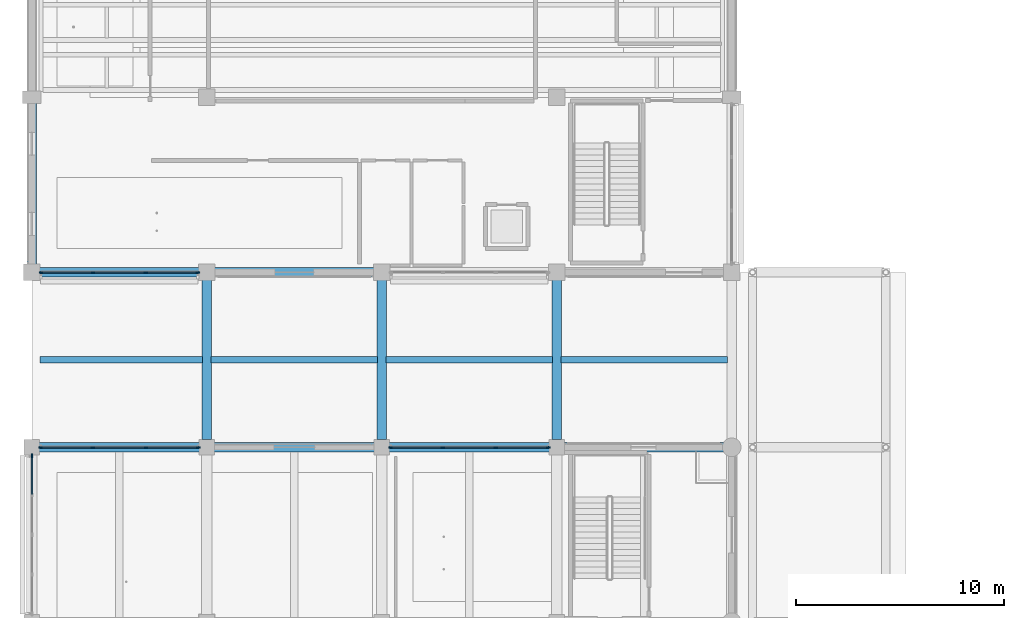
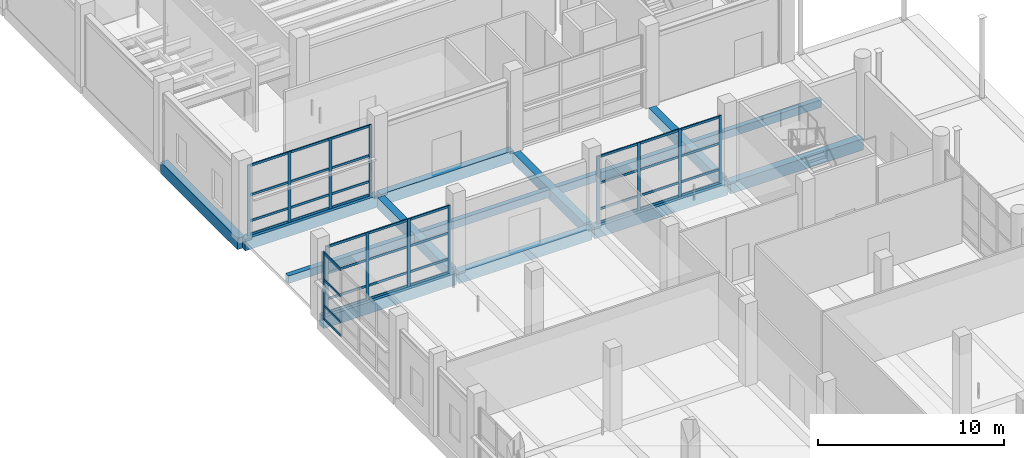
# One storey, part 35 of 140: 53 members, 14 beams, 4 elements without a shape of their own.
"""IFC4 building model written with IfcOpenShell, lengths in metres."""

from ifc_helpers import new_model, si_unit, direction, frame, origin, origin_2d, place, context, subcontext, project, spatial, rectangle, extrude, material, layer, layer_set, material_profile, profile_set, type_object, element, aggregate, save


model = new_model("IFC4")

# Units and contexts
model_context = context("Model", 3, precision=1e-05, world=origin(), true_north=direction((0.0, 1.0)))
body_context = subcontext(model_context, "Body", "Model", "MODEL_VIEW")
ifc_project = project(units=[si_unit("LENGTHUNIT", "METRE"), si_unit("AREAUNIT", "SQUARE_METRE"), si_unit("VOLUMEUNIT", "CUBIC_METRE"), si_unit("PLANEANGLEUNIT", "RADIAN"), si_unit("MASSUNIT", "GRAM", prefix="KILO")], contexts=[model_context])

# Site, building, storey
site_placement = place(None, origin())
site = spatial("IfcSite", under=ifc_project, at=site_placement, CompositionType="ELEMENT")
building_placement = place(site_placement, origin())
building = spatial("IfcBuilding", under=site, at=building_placement, Name="Telukmera Botanical Conservatory", CompositionType="ELEMENT")
storey_placement = place(building_placement, origin())
storey = spatial("IfcBuildingStorey", under=building, at=storey_placement, Name="L00", CompositionType="ELEMENT", Elevation=0.0)

# Beams
ifc_material_1 = material(Name="Concrete C40/50", Category="concrete")
ifc_material_profile_1 = material_profile(ifc_material_1, rectangle(XDim=0.449951171875, YDim=0.699951171875, at=origin_2d()), Name="RC 450x700")
ifc_profile_set_1 = profile_set([ifc_material_profile_1], Name="Concrete C40/50")
beam_type_1 = type_object("IfcBeamType", Name="Beam_B15", PredefinedType="BEAM", material=ifc_profile_set_1)
for number, where, z_axis, x_axis, name in (
    (1, (16.800048828125, 75.179931640625, -0.35009765625), (0.0, 1.0, 0.0), (-1.0, 0.0, 0.0), "Monsoon Court Deck Transverse Beam L00"),
    (2, (25.199951171875, 75.179931640625, -0.35009765625), (0.0, 1.0, 0.0), (-1.0, 0.0, 0.0), "Monsoon Court Deck Transverse Beam L00"),
    (3, (33.60009765625, 75.179931640625, -0.35009765625), (0.0, 1.0, 0.0), (-1.0, 0.0, 0.0), "Monsoon Court Deck Transverse Beam L00"),
):
    element("IfcBeam", number, at=place(storey_placement, frame(where, z_axis=z_axis, x_axis=x_axis)), inside=storey, type_object=beam_type_1, Name=name, PredefinedType="BEAM", context=body_context, shape_type="SweptSolid", body=[
        extrude(rectangle(XDim=0.449951171875, YDim=0.699951171875, at=origin_2d()), origin(), (0.0, 0.0, 1.0), 7.64013671875),
    ])
ifc_material_profile_2 = material_profile(ifc_material_1, rectangle(XDim=0.300048828125, YDim=0.5, at=origin_2d()), Name="RC 300x500")
ifc_profile_set_2 = profile_set([ifc_material_profile_2], Name="Concrete C40/50")
beam_type_2 = type_object("IfcBeamType", Name="Beam_B24", PredefinedType="JOIST", material=ifc_profile_set_2)
beam_1_placement = place(storey_placement, frame((8.780029296875, 79.0, -0.25), z_axis=(1.0, 0.0, 0.0), x_axis=(0.0, 1.0, 0.0)))
element("IfcBeam", 4, at=beam_1_placement, inside=storey, type_object=beam_type_2, Name="Monsoon Court Deck Secondary Joist L00", PredefinedType="JOIST", context=body_context, shape_type="SweptSolid", body=[
    extrude(rectangle(XDim=0.300048828125, YDim=0.5, at=origin_2d()), origin(), (0.0, 0.0, 1.0), 7.820068359375),
])
for number, where, z_axis, x_axis, name in (
    (5, (17.0, 79.0, -0.25), (1.0, 0.0, 0.0), (0.0, 1.0, 0.0), "Monsoon Court Deck Secondary Joist L00"),
    (6, (25.39990234375, 79.0, -0.25), (1.0, 0.0, 0.0), (0.0, 1.0, 0.0), "Monsoon Court Deck Secondary Joist L00"),
    (7, (33.800048828125, 79.0, -0.25), (1.0, 0.0, 0.0), (0.0, 1.0, 0.0), "Monsoon Court Deck Secondary Joist L00"),
):
    element("IfcBeam", number, at=place(storey_placement, frame(where, z_axis=z_axis, x_axis=x_axis)), inside=storey, type_object=beam_type_2, Name=name, PredefinedType="JOIST", context=body_context, shape_type="SweptSolid", body=[
        extrude(rectangle(XDim=0.300048828125, YDim=0.5, at=origin_2d()), origin(), (0.0, 0.0, 1.0), 8.0),
    ])
ifc_material_profile_3 = material_profile(ifc_material_1, rectangle(XDim=0.449951171875, YDim=0.75, at=origin_2d()), Name="RC 450x750")
ifc_profile_set_3 = profile_set([ifc_material_profile_3], Name="Concrete C40/50")
beam_type_3 = type_object("IfcBeamType", Name="Beam_B6", PredefinedType="BEAM", material=ifc_profile_set_3)
beam_2_placement = place(storey_placement, frame((8.47998046875, 74.800048828125, -0.375), z_axis=(1.0, 0.0, 0.0), x_axis=(0.0, 1.0, 0.0)))
element("IfcBeam", 8, at=beam_2_placement, inside=storey, type_object=beam_type_3, Name="Visitor Wing Grid Beam L00", PredefinedType="BEAM", context=body_context, shape_type="SweptSolid", body=[
    extrude(rectangle(XDim=0.449951171875, YDim=0.75, at=origin_2d()), origin(), (0.0, 0.0, 1.0), 8.239990234375),
])
beam_3_placement = place(storey_placement, frame((16.8798828125, 74.800048828125, -0.375), z_axis=(1.0, 0.0, 0.0), x_axis=(0.0, 1.0, 0.0)))
element("IfcBeam", 9, at=beam_3_placement, inside=storey, type_object=beam_type_3, Name="Visitor Wing Grid Beam L00", PredefinedType="BEAM", context=body_context, shape_type="SweptSolid", body=[
    extrude(rectangle(XDim=0.449951171875, YDim=0.75, at=origin_2d()), origin(), (0.0, 0.0, 1.0), 8.240234375),
])
for number, where, z_axis, x_axis, name in (
    (10, (25.280029296875, 74.800048828125, -0.375), (1.0, 0.0, 0.0), (0.0, 1.0, 0.0), "Visitor Wing Grid Beam L00"),
    (11, (33.679931640625, 74.800048828125, -0.375), (1.0, 0.0, 0.0), (0.0, 1.0, 0.0), "Visitor Wing Grid Beam L00"),
    (12, (8.47998046875, 83.199951171875, -0.375), (1.0, 0.0, 0.0), (0.0, 1.0, 0.0), "Auditorium Frame Beam beam:V2:L00:gx:832:84"),
):
    element("IfcBeam", number, at=place(storey_placement, frame(where, z_axis=z_axis, x_axis=x_axis)), inside=storey, type_object=beam_type_3, Name=name, PredefinedType="BEAM", context=body_context, shape_type="SweptSolid", body=[
        extrude(rectangle(XDim=0.449951171875, YDim=0.75, at=origin_2d()), origin(), (0.0, 0.0, 1.0), 8.239990234375),
    ])
beam_4_placement = place(storey_placement, frame((16.8798828125, 83.199951171875, -0.375), z_axis=(1.0, 0.0, 0.0), x_axis=(0.0, 1.0, 0.0)))
element("IfcBeam", 13, at=beam_4_placement, inside=storey, type_object=beam_type_3, Name="Auditorium Frame Beam beam:V2:L00:gx:832:168", PredefinedType="BEAM", context=body_context, shape_type="SweptSolid", body=[
    extrude(rectangle(XDim=0.449951171875, YDim=0.75, at=origin_2d()), origin(), (0.0, 0.0, 1.0), 8.240234375),
])
beam_5_placement = place(storey_placement, frame((8.39990234375, 83.280029296875, -0.375), z_axis=(0.0, 1.0, 0.0), x_axis=(-1.0, 0.0, 0.0)))
element("IfcBeam", 14, at=beam_5_placement, inside=storey, type_object=beam_type_3, Name="Auditorium Frame Beam beam:V2:L00:gy:84:832", PredefinedType="BEAM", context=body_context, shape_type="SweptSolid", body=[
    extrude(rectangle(XDim=0.449951171875, YDim=0.75, at=origin_2d()), origin(), (0.0, 0.0, 1.0), 8.239990234375),
])

# Curtain wall, members
ifc_material_2 = material(Name="Anodised aluminium 6063-T6", Category="aluminium")
ifc_layer_1 = layer(ifc_material_2, 0.179931640625)
ifc_layer_set_1 = layer_set([ifc_layer_1], Name="Anodised aluminium 6063-T6")
curtain_wall_type_1 = type_object("IfcCurtainWallType", Name="Auditorium Ground Foyer Acoustic Curtain Wall", PredefinedType="USERDEFINED", material=ifc_layer_set_1)
curtain_wall_1_placement = place(storey_placement, origin())
curtain_wall_1 = element("IfcCurtainWall", 15, at=curtain_wall_1_placement, inside=storey, type_object=curtain_wall_type_1, Name="Unitised Curtain Wall CW04 V2:L00:S1", ObjectType="UNITISED CURTAIN WALL", PredefinedType="USERDEFINED")
ifc_material_profile_4 = material_profile(ifc_material_2, rectangle(XDim=0.070068359375, YDim=0.179931640625, at=origin_2d()), Name="ALU MULL 70x180")
ifc_profile_set_4 = profile_set([ifc_material_profile_4], Name="Anodised aluminium 6063-T6")
member_type_1 = type_object("IfcMemberType", Name="Curtain Wall Extruded Mullion 70x180", PredefinedType="MULLION", material=ifc_profile_set_4)
member_1_placement = place(storey_placement, frame((8.8369140625, 83.199951171875, 0.0), z_axis=(0.0, 0.0, 1.0), x_axis=(0.0, 1.0, 0.0)))
member_1 = element("IfcMember", 16, at=member_1_placement, type_object=member_type_1, Name="CW04 mullion 1", PredefinedType="MULLION", context=body_context, shape_type="SweptSolid", body=[
    extrude(rectangle(XDim=0.070068359375, YDim=0.179931640625, at=origin_2d()), origin(), (0.0, 0.0, 1.0), 4.64990234375),
])
member_2_placement = place(storey_placement, frame((11.333984375, 83.199951171875, 0.0), z_axis=(0.0, 0.0, 1.0), x_axis=(0.0, 1.0, 0.0)))
member_2 = element("IfcMember", 17, at=member_2_placement, type_object=member_type_1, Name="CW04 mullion 2", PredefinedType="MULLION", context=body_context, shape_type="SweptSolid", body=[
    extrude(rectangle(XDim=0.070068359375, YDim=0.179931640625, at=origin_2d()), origin(), (0.0, 0.0, 1.0), 4.64990234375),
])
member_3_placement = place(storey_placement, frame((13.865966796875, 83.199951171875, 0.0), z_axis=(0.0, 0.0, 1.0), x_axis=(0.0, 1.0, 0.0)))
member_3 = element("IfcMember", 18, at=member_3_placement, type_object=member_type_1, Name="CW04 mullion 3", PredefinedType="MULLION", context=body_context, shape_type="SweptSolid", body=[
    extrude(rectangle(XDim=0.070068359375, YDim=0.179931640625, at=origin_2d()), origin(), (0.0, 0.0, 1.0), 4.64990234375),
])
member_4_placement = place(storey_placement, frame((16.363037109375, 83.199951171875, 0.0), z_axis=(0.0, 0.0, 1.0), x_axis=(0.0, 1.0, 0.0)))
member_4 = element("IfcMember", 19, at=member_4_placement, type_object=member_type_1, Name="CW04 mullion 4", PredefinedType="MULLION", context=body_context, shape_type="SweptSolid", body=[
    extrude(rectangle(XDim=0.070068359375, YDim=0.179931640625, at=origin_2d()), origin(), (0.0, 0.0, 1.0), 4.64990234375),
])

ifc_layer_2 = layer(ifc_material_2, 0.179931640625)
ifc_layer_set_2 = layer_set([ifc_layer_2], Name="Anodised aluminium 6063-T6")
curtain_wall_type_2 = type_object("IfcCurtainWallType", Name="Visitor Colonnade Ground Curtain Wall 2400 Mod", PredefinedType="USERDEFINED", material=ifc_layer_set_2)
curtain_wall_2_placement = place(storey_placement, origin())
curtain_wall_2 = element("IfcCurtainWall", 20, at=curtain_wall_2_placement, inside=storey, type_object=curtain_wall_type_2, Name="Unitised Curtain Wall CW07 V3:L00:N1", ObjectType="UNITISED CURTAIN WALL", PredefinedType="USERDEFINED")
member_5_placement = place(storey_placement, frame((8.81201171875, 74.800048828125, 0.0), z_axis=(0.0, 0.0, 1.0), x_axis=(0.0, 1.0, 0.0)))
member_5 = element("IfcMember", 21, at=member_5_placement, type_object=member_type_1, Name="CW07 mullion 1", PredefinedType="MULLION", context=body_context, shape_type="SweptSolid", body=[
    extrude(rectangle(XDim=0.070068359375, YDim=0.179931640625, at=origin_2d()), origin(), (0.0, 0.0, 1.0), 4.449951171875),
])
member_6_placement = place(storey_placement, frame((11.32568359375, 74.800048828125, 0.0), z_axis=(0.0, 0.0, 1.0), x_axis=(0.0, 1.0, 0.0)))
member_6 = element("IfcMember", 22, at=member_6_placement, type_object=member_type_1, Name="CW07 mullion 2", PredefinedType="MULLION", context=body_context, shape_type="SweptSolid", body=[
    extrude(rectangle(XDim=0.070068359375, YDim=0.179931640625, at=origin_2d()), origin(), (0.0, 0.0, 1.0), 4.449951171875),
])
member_7_placement = place(storey_placement, frame((13.874267578125, 74.800048828125, 0.0), z_axis=(0.0, 0.0, 1.0), x_axis=(0.0, 1.0, 0.0)))
member_7 = element("IfcMember", 23, at=member_7_placement, type_object=member_type_1, Name="CW07 mullion 3", PredefinedType="MULLION", context=body_context, shape_type="SweptSolid", body=[
    extrude(rectangle(XDim=0.070068359375, YDim=0.179931640625, at=origin_2d()), origin(), (0.0, 0.0, 1.0), 4.449951171875),
])
member_8_placement = place(storey_placement, frame((16.387939453125, 74.800048828125, 0.0), z_axis=(0.0, 0.0, 1.0), x_axis=(0.0, 1.0, 0.0)))
member_8 = element("IfcMember", 24, at=member_8_placement, type_object=member_type_1, Name="CW07 mullion 4", PredefinedType="MULLION", context=body_context, shape_type="SweptSolid", body=[
    extrude(rectangle(XDim=0.070068359375, YDim=0.179931640625, at=origin_2d()), origin(), (0.0, 0.0, 1.0), 4.449951171875),
])

curtain_wall_3_placement = place(storey_placement, origin())
curtain_wall_3 = element("IfcCurtainWall", 25, at=curtain_wall_3_placement, inside=storey, type_object=curtain_wall_type_2, Name="Unitised Curtain Wall CW07 V3:L00:N3", ObjectType="UNITISED CURTAIN WALL", PredefinedType="USERDEFINED")
member_9_placement = place(storey_placement, frame((25.612060546875, 74.800048828125, 0.0), z_axis=(0.0, 0.0, 1.0), x_axis=(0.0, 1.0, 0.0)))
member_9 = element("IfcMember", 26, at=member_9_placement, type_object=member_type_1, Name="CW07 mullion 1", PredefinedType="MULLION", context=body_context, shape_type="SweptSolid", body=[
    extrude(rectangle(XDim=0.070068359375, YDim=0.179931640625, at=origin_2d()), origin(), (0.0, 0.0, 1.0), 4.449951171875),
])
member_10_placement = place(storey_placement, frame((28.125732421875, 74.800048828125, 0.0), z_axis=(0.0, 0.0, 1.0), x_axis=(0.0, 1.0, 0.0)))
member_10 = element("IfcMember", 27, at=member_10_placement, type_object=member_type_1, Name="CW07 mullion 2", PredefinedType="MULLION", context=body_context, shape_type="SweptSolid", body=[
    extrude(rectangle(XDim=0.070068359375, YDim=0.179931640625, at=origin_2d()), origin(), (0.0, 0.0, 1.0), 4.449951171875),
])
member_11_placement = place(storey_placement, frame((30.67431640625, 74.800048828125, 0.0), z_axis=(0.0, 0.0, 1.0), x_axis=(0.0, 1.0, 0.0)))
member_11 = element("IfcMember", 28, at=member_11_placement, type_object=member_type_1, Name="CW07 mullion 3", PredefinedType="MULLION", context=body_context, shape_type="SweptSolid", body=[
    extrude(rectangle(XDim=0.070068359375, YDim=0.179931640625, at=origin_2d()), origin(), (0.0, 0.0, 1.0), 4.449951171875),
])
member_12_placement = place(storey_placement, frame((33.18798828125, 74.800048828125, 0.0), z_axis=(0.0, 0.0, 1.0), x_axis=(0.0, 1.0, 0.0)))
member_12 = element("IfcMember", 29, at=member_12_placement, type_object=member_type_1, Name="CW07 mullion 4", PredefinedType="MULLION", context=body_context, shape_type="SweptSolid", body=[
    extrude(rectangle(XDim=0.070068359375, YDim=0.179931640625, at=origin_2d()), origin(), (0.0, 0.0, 1.0), 4.449951171875),
])

# Curtain wall, member
ifc_layer_3 = layer(ifc_material_2, 0.179931640625)
ifc_layer_set_3 = layer_set([ifc_layer_3], Name="Anodised aluminium 6063-T6")
curtain_wall_type_3 = type_object("IfcCurtainWallType", Name="Visitor Colonnade Ground Curtain Wall 1800 Mod", PredefinedType="USERDEFINED", material=ifc_layer_set_3)
curtain_wall_4_placement = place(storey_placement, origin())
curtain_wall_4 = element("IfcCurtainWall", 30, at=curtain_wall_4_placement, inside=storey, type_object=curtain_wall_type_3, Name="Unitised Curtain Wall CW06 V3:L00:W7", ObjectType="UNITISED CURTAIN WALL", PredefinedType="USERDEFINED")
member_13_placement = place(storey_placement, frame((8.39990234375, 74.387939453125, 0.0), z_axis=(0.0, 0.0, 1.0), x_axis=(-1.0, 0.0, 0.0)))
member_13 = element("IfcMember", 31, at=member_13_placement, type_object=member_type_1, Name="CW06 mullion 5", PredefinedType="MULLION", context=body_context, shape_type="SweptSolid", body=[
    extrude(rectangle(XDim=0.070068359375, YDim=0.179931640625, at=origin_2d()), origin(), (0.0, 0.0, 1.0), 4.449951171875),
])

# Member
ifc_material_profile_5 = material_profile(ifc_material_2, rectangle(XDim=0.070068359375, YDim=0.14990234375, at=origin_2d()), Name="ALU TRAN 70x150")
ifc_profile_set_5 = profile_set([ifc_material_profile_5], Name="Anodised aluminium 6063-T6")
member_type_2 = type_object("IfcMemberType", Name="Curtain Wall Extruded Transom 70x150", PredefinedType="USERDEFINED", material=ifc_profile_set_5)
member_14_placement = place(storey_placement, frame((8.8720703125, 83.199951171875, 0.074951171875), z_axis=(1.0, 0.0, 0.0), x_axis=(0.0, 1.0, 0.0)))
member_14 = element("IfcMember", 32, at=member_14_placement, type_object=member_type_2, Name="CW04 transom 1.1", ObjectType="TRANSOM", PredefinedType="USERDEFINED", context=body_context, shape_type="SweptSolid", body=[
    extrude(rectangle(XDim=0.070068359375, YDim=0.14990234375, at=origin_2d()), origin(), (0.0, 0.0, 1.0), 2.427001953125),
])

member_15_placement = place(storey_placement, frame((8.8720703125, 83.199951171875, 0.949951171875), z_axis=(1.0, 0.0, 0.0), x_axis=(0.0, 1.0, 0.0)))
member_15 = element("IfcMember", 33, at=member_15_placement, type_object=member_type_2, Name="CW04 transom 1.2", ObjectType="TRANSOM", PredefinedType="USERDEFINED", context=body_context, shape_type="SweptSolid", body=[
    extrude(rectangle(XDim=0.070068359375, YDim=0.14990234375, at=origin_2d()), origin(), (0.0, 0.0, 1.0), 2.427001953125),
])

member_16_placement = place(storey_placement, frame((8.8720703125, 83.199951171875, 2.64990234375), z_axis=(1.0, 0.0, 0.0), x_axis=(0.0, 1.0, 0.0)))
member_16 = element("IfcMember", 34, at=member_16_placement, type_object=member_type_2, Name="CW04 transom 1.3", ObjectType="TRANSOM", PredefinedType="USERDEFINED", context=body_context, shape_type="SweptSolid", body=[
    extrude(rectangle(XDim=0.070068359375, YDim=0.14990234375, at=origin_2d()), origin(), (0.0, 0.0, 1.0), 2.427001953125),
])

member_17_placement = place(storey_placement, frame((8.8720703125, 83.199951171875, 4.574951171875), z_axis=(1.0, 0.0, 0.0), x_axis=(0.0, 1.0, 0.0)))
member_17 = element("IfcMember", 35, at=member_17_placement, type_object=member_type_2, Name="CW04 transom 1.4", ObjectType="TRANSOM", PredefinedType="USERDEFINED", context=body_context, shape_type="SweptSolid", body=[
    extrude(rectangle(XDim=0.070068359375, YDim=0.14990234375, at=origin_2d()), origin(), (0.0, 0.0, 1.0), 2.427001953125),
])

member_18_placement = place(storey_placement, frame((11.368896484375, 83.199951171875, 0.074951171875), z_axis=(1.0, 0.0, 0.0), x_axis=(0.0, 1.0, 0.0)))
member_18 = element("IfcMember", 36, at=member_18_placement, type_object=member_type_2, Name="CW04 transom 2.1", ObjectType="TRANSOM", PredefinedType="USERDEFINED", context=body_context, shape_type="SweptSolid", body=[
    extrude(rectangle(XDim=0.070068359375, YDim=0.14990234375, at=origin_2d()), origin(), (0.0, 0.0, 1.0), 2.462158203125),
])

member_19_placement = place(storey_placement, frame((11.368896484375, 83.199951171875, 0.949951171875), z_axis=(1.0, 0.0, 0.0), x_axis=(0.0, 1.0, 0.0)))
member_19 = element("IfcMember", 37, at=member_19_placement, type_object=member_type_2, Name="CW04 transom 2.2", ObjectType="TRANSOM", PredefinedType="USERDEFINED", context=body_context, shape_type="SweptSolid", body=[
    extrude(rectangle(XDim=0.070068359375, YDim=0.14990234375, at=origin_2d()), origin(), (0.0, 0.0, 1.0), 2.462158203125),
])

member_20_placement = place(storey_placement, frame((11.368896484375, 83.199951171875, 2.64990234375), z_axis=(1.0, 0.0, 0.0), x_axis=(0.0, 1.0, 0.0)))
member_20 = element("IfcMember", 38, at=member_20_placement, type_object=member_type_2, Name="CW04 transom 2.3", ObjectType="TRANSOM", PredefinedType="USERDEFINED", context=body_context, shape_type="SweptSolid", body=[
    extrude(rectangle(XDim=0.070068359375, YDim=0.14990234375, at=origin_2d()), origin(), (0.0, 0.0, 1.0), 2.462158203125),
])

member_21_placement = place(storey_placement, frame((11.368896484375, 83.199951171875, 4.574951171875), z_axis=(1.0, 0.0, 0.0), x_axis=(0.0, 1.0, 0.0)))
member_21 = element("IfcMember", 39, at=member_21_placement, type_object=member_type_2, Name="CW04 transom 2.4", ObjectType="TRANSOM", PredefinedType="USERDEFINED", context=body_context, shape_type="SweptSolid", body=[
    extrude(rectangle(XDim=0.070068359375, YDim=0.14990234375, at=origin_2d()), origin(), (0.0, 0.0, 1.0), 2.462158203125),
])

member_22_placement = place(storey_placement, frame((13.90087890625, 83.199951171875, 0.074951171875), z_axis=(1.0, 0.0, 0.0), x_axis=(0.0, 1.0, 0.0)))
member_22 = element("IfcMember", 40, at=member_22_placement, type_object=member_type_2, Name="CW04 transom 3.1", ObjectType="TRANSOM", PredefinedType="USERDEFINED", context=body_context, shape_type="SweptSolid", body=[
    extrude(rectangle(XDim=0.070068359375, YDim=0.14990234375, at=origin_2d()), origin(), (0.0, 0.0, 1.0), 2.427001953125),
])

member_23_placement = place(storey_placement, frame((13.90087890625, 83.199951171875, 0.949951171875), z_axis=(1.0, 0.0, 0.0), x_axis=(0.0, 1.0, 0.0)))
member_23 = element("IfcMember", 41, at=member_23_placement, type_object=member_type_2, Name="CW04 transom 3.2", ObjectType="TRANSOM", PredefinedType="USERDEFINED", context=body_context, shape_type="SweptSolid", body=[
    extrude(rectangle(XDim=0.070068359375, YDim=0.14990234375, at=origin_2d()), origin(), (0.0, 0.0, 1.0), 2.427001953125),
])

member_24_placement = place(storey_placement, frame((13.90087890625, 83.199951171875, 2.64990234375), z_axis=(1.0, 0.0, 0.0), x_axis=(0.0, 1.0, 0.0)))
member_24 = element("IfcMember", 42, at=member_24_placement, type_object=member_type_2, Name="CW04 transom 3.3", ObjectType="TRANSOM", PredefinedType="USERDEFINED", context=body_context, shape_type="SweptSolid", body=[
    extrude(rectangle(XDim=0.070068359375, YDim=0.14990234375, at=origin_2d()), origin(), (0.0, 0.0, 1.0), 2.427001953125),
])

member_25_placement = place(storey_placement, frame((13.90087890625, 83.199951171875, 4.574951171875), z_axis=(1.0, 0.0, 0.0), x_axis=(0.0, 1.0, 0.0)))
member_25 = element("IfcMember", 43, at=member_25_placement, type_object=member_type_2, Name="CW04 transom 3.4", ObjectType="TRANSOM", PredefinedType="USERDEFINED", context=body_context, shape_type="SweptSolid", body=[
    extrude(rectangle(XDim=0.070068359375, YDim=0.14990234375, at=origin_2d()), origin(), (0.0, 0.0, 1.0), 2.427001953125),
])

aggregate(curtain_wall_1, [member_1, member_2, member_3, member_4, member_14, member_15, member_16, member_17, member_18, member_19, member_20, member_21, member_22, member_23, member_24, member_25])

member_26_placement = place(storey_placement, frame((8.846923828125, 74.800048828125, 0.074951171875), z_axis=(1.0, 0.0, 0.0), x_axis=(0.0, 1.0, 0.0)))
member_26 = element("IfcMember", 44, at=member_26_placement, type_object=member_type_2, Name="CW07 transom 1.1", ObjectType="TRANSOM", PredefinedType="USERDEFINED", context=body_context, shape_type="SweptSolid", body=[
    extrude(rectangle(XDim=0.070068359375, YDim=0.14990234375, at=origin_2d()), origin(), (0.0, 0.0, 1.0), 2.44384765625),
])

member_27_placement = place(storey_placement, frame((8.846923828125, 74.800048828125, 0.949951171875), z_axis=(1.0, 0.0, 0.0), x_axis=(0.0, 1.0, 0.0)))
member_27 = element("IfcMember", 45, at=member_27_placement, type_object=member_type_2, Name="CW07 transom 1.2", ObjectType="TRANSOM", PredefinedType="USERDEFINED", context=body_context, shape_type="SweptSolid", body=[
    extrude(rectangle(XDim=0.070068359375, YDim=0.14990234375, at=origin_2d()), origin(), (0.0, 0.0, 1.0), 2.44384765625),
])

member_28_placement = place(storey_placement, frame((8.846923828125, 74.800048828125, 2.64990234375), z_axis=(1.0, 0.0, 0.0), x_axis=(0.0, 1.0, 0.0)))
member_28 = element("IfcMember", 46, at=member_28_placement, type_object=member_type_2, Name="CW07 transom 1.3", ObjectType="TRANSOM", PredefinedType="USERDEFINED", context=body_context, shape_type="SweptSolid", body=[
    extrude(rectangle(XDim=0.070068359375, YDim=0.14990234375, at=origin_2d()), origin(), (0.0, 0.0, 1.0), 2.44384765625),
])

member_29_placement = place(storey_placement, frame((8.846923828125, 74.800048828125, 4.375), z_axis=(1.0, 0.0, 0.0), x_axis=(0.0, 1.0, 0.0)))
member_29 = element("IfcMember", 47, at=member_29_placement, type_object=member_type_2, Name="CW07 transom 1.4", ObjectType="TRANSOM", PredefinedType="USERDEFINED", context=body_context, shape_type="SweptSolid", body=[
    extrude(rectangle(XDim=0.070068359375, YDim=0.14990234375, at=origin_2d()), origin(), (0.0, 0.0, 1.0), 2.44384765625),
])

member_30_placement = place(storey_placement, frame((11.360595703125, 74.800048828125, 0.074951171875), z_axis=(1.0, 0.0, 0.0), x_axis=(0.0, 1.0, 0.0)))
member_30 = element("IfcMember", 48, at=member_30_placement, type_object=member_type_2, Name="CW07 transom 2.1", ObjectType="TRANSOM", PredefinedType="USERDEFINED", context=body_context, shape_type="SweptSolid", body=[
    extrude(rectangle(XDim=0.070068359375, YDim=0.14990234375, at=origin_2d()), origin(), (0.0, 0.0, 1.0), 2.478759765625),
])

member_31_placement = place(storey_placement, frame((11.360595703125, 74.800048828125, 0.949951171875), z_axis=(1.0, 0.0, 0.0), x_axis=(0.0, 1.0, 0.0)))
member_31 = element("IfcMember", 49, at=member_31_placement, type_object=member_type_2, Name="CW07 transom 2.2", ObjectType="TRANSOM", PredefinedType="USERDEFINED", context=body_context, shape_type="SweptSolid", body=[
    extrude(rectangle(XDim=0.070068359375, YDim=0.14990234375, at=origin_2d()), origin(), (0.0, 0.0, 1.0), 2.478759765625),
])

member_32_placement = place(storey_placement, frame((11.360595703125, 74.800048828125, 2.64990234375), z_axis=(1.0, 0.0, 0.0), x_axis=(0.0, 1.0, 0.0)))
member_32 = element("IfcMember", 50, at=member_32_placement, type_object=member_type_2, Name="CW07 transom 2.3", ObjectType="TRANSOM", PredefinedType="USERDEFINED", context=body_context, shape_type="SweptSolid", body=[
    extrude(rectangle(XDim=0.070068359375, YDim=0.14990234375, at=origin_2d()), origin(), (0.0, 0.0, 1.0), 2.478759765625),
])

member_33_placement = place(storey_placement, frame((11.360595703125, 74.800048828125, 4.375), z_axis=(1.0, 0.0, 0.0), x_axis=(0.0, 1.0, 0.0)))
member_33 = element("IfcMember", 51, at=member_33_placement, type_object=member_type_2, Name="CW07 transom 2.4", ObjectType="TRANSOM", PredefinedType="USERDEFINED", context=body_context, shape_type="SweptSolid", body=[
    extrude(rectangle(XDim=0.070068359375, YDim=0.14990234375, at=origin_2d()), origin(), (0.0, 0.0, 1.0), 2.478759765625),
])

member_34_placement = place(storey_placement, frame((13.909423828125, 74.800048828125, 0.074951171875), z_axis=(1.0, 0.0, 0.0), x_axis=(0.0, 1.0, 0.0)))
member_34 = element("IfcMember", 52, at=member_34_placement, type_object=member_type_2, Name="CW07 transom 3.1", ObjectType="TRANSOM", PredefinedType="USERDEFINED", context=body_context, shape_type="SweptSolid", body=[
    extrude(rectangle(XDim=0.070068359375, YDim=0.14990234375, at=origin_2d()), origin(), (0.0, 0.0, 1.0), 2.443603515625),
])

member_35_placement = place(storey_placement, frame((13.909423828125, 74.800048828125, 0.949951171875), z_axis=(1.0, 0.0, 0.0), x_axis=(0.0, 1.0, 0.0)))
member_35 = element("IfcMember", 53, at=member_35_placement, type_object=member_type_2, Name="CW07 transom 3.2", ObjectType="TRANSOM", PredefinedType="USERDEFINED", context=body_context, shape_type="SweptSolid", body=[
    extrude(rectangle(XDim=0.070068359375, YDim=0.14990234375, at=origin_2d()), origin(), (0.0, 0.0, 1.0), 2.443603515625),
])

member_36_placement = place(storey_placement, frame((13.909423828125, 74.800048828125, 2.64990234375), z_axis=(1.0, 0.0, 0.0), x_axis=(0.0, 1.0, 0.0)))
member_36 = element("IfcMember", 54, at=member_36_placement, type_object=member_type_2, Name="CW07 transom 3.3", ObjectType="TRANSOM", PredefinedType="USERDEFINED", context=body_context, shape_type="SweptSolid", body=[
    extrude(rectangle(XDim=0.070068359375, YDim=0.14990234375, at=origin_2d()), origin(), (0.0, 0.0, 1.0), 2.443603515625),
])

member_37_placement = place(storey_placement, frame((13.909423828125, 74.800048828125, 4.375), z_axis=(1.0, 0.0, 0.0), x_axis=(0.0, 1.0, 0.0)))
member_37 = element("IfcMember", 55, at=member_37_placement, type_object=member_type_2, Name="CW07 transom 3.4", ObjectType="TRANSOM", PredefinedType="USERDEFINED", context=body_context, shape_type="SweptSolid", body=[
    extrude(rectangle(XDim=0.070068359375, YDim=0.14990234375, at=origin_2d()), origin(), (0.0, 0.0, 1.0), 2.443603515625),
])

aggregate(curtain_wall_2, [member_5, member_6, member_7, member_8, member_26, member_27, member_28, member_29, member_30, member_31, member_32, member_33, member_34, member_35, member_36, member_37])

member_38_placement = place(storey_placement, frame((25.64697265625, 74.800048828125, 0.074951171875), z_axis=(1.0, 0.0, 0.0), x_axis=(0.0, 1.0, 0.0)))
member_38 = element("IfcMember", 56, at=member_38_placement, type_object=member_type_2, Name="CW07 transom 1.1", ObjectType="TRANSOM", PredefinedType="USERDEFINED", context=body_context, shape_type="SweptSolid", body=[
    extrude(rectangle(XDim=0.070068359375, YDim=0.14990234375, at=origin_2d()), origin(), (0.0, 0.0, 1.0), 2.443603515625),
])

member_39_placement = place(storey_placement, frame((25.64697265625, 74.800048828125, 0.949951171875), z_axis=(1.0, 0.0, 0.0), x_axis=(0.0, 1.0, 0.0)))
member_39 = element("IfcMember", 57, at=member_39_placement, type_object=member_type_2, Name="CW07 transom 1.2", ObjectType="TRANSOM", PredefinedType="USERDEFINED", context=body_context, shape_type="SweptSolid", body=[
    extrude(rectangle(XDim=0.070068359375, YDim=0.14990234375, at=origin_2d()), origin(), (0.0, 0.0, 1.0), 2.443603515625),
])

member_40_placement = place(storey_placement, frame((25.64697265625, 74.800048828125, 2.64990234375), z_axis=(1.0, 0.0, 0.0), x_axis=(0.0, 1.0, 0.0)))
member_40 = element("IfcMember", 58, at=member_40_placement, type_object=member_type_2, Name="CW07 transom 1.3", ObjectType="TRANSOM", PredefinedType="USERDEFINED", context=body_context, shape_type="SweptSolid", body=[
    extrude(rectangle(XDim=0.070068359375, YDim=0.14990234375, at=origin_2d()), origin(), (0.0, 0.0, 1.0), 2.443603515625),
])

member_41_placement = place(storey_placement, frame((25.64697265625, 74.800048828125, 4.375), z_axis=(1.0, 0.0, 0.0), x_axis=(0.0, 1.0, 0.0)))
member_41 = element("IfcMember", 59, at=member_41_placement, type_object=member_type_2, Name="CW07 transom 1.4", ObjectType="TRANSOM", PredefinedType="USERDEFINED", context=body_context, shape_type="SweptSolid", body=[
    extrude(rectangle(XDim=0.070068359375, YDim=0.14990234375, at=origin_2d()), origin(), (0.0, 0.0, 1.0), 2.443603515625),
])

member_42_placement = place(storey_placement, frame((28.16064453125, 74.800048828125, 0.074951171875), z_axis=(1.0, 0.0, 0.0), x_axis=(0.0, 1.0, 0.0)))
member_42 = element("IfcMember", 60, at=member_42_placement, type_object=member_type_2, Name="CW07 transom 2.1", ObjectType="TRANSOM", PredefinedType="USERDEFINED", context=body_context, shape_type="SweptSolid", body=[
    extrude(rectangle(XDim=0.070068359375, YDim=0.14990234375, at=origin_2d()), origin(), (0.0, 0.0, 1.0), 2.478759765625),
])

member_43_placement = place(storey_placement, frame((28.16064453125, 74.800048828125, 0.949951171875), z_axis=(1.0, 0.0, 0.0), x_axis=(0.0, 1.0, 0.0)))
member_43 = element("IfcMember", 61, at=member_43_placement, type_object=member_type_2, Name="CW07 transom 2.2", ObjectType="TRANSOM", PredefinedType="USERDEFINED", context=body_context, shape_type="SweptSolid", body=[
    extrude(rectangle(XDim=0.070068359375, YDim=0.14990234375, at=origin_2d()), origin(), (0.0, 0.0, 1.0), 2.478759765625),
])

member_44_placement = place(storey_placement, frame((28.16064453125, 74.800048828125, 2.64990234375), z_axis=(1.0, 0.0, 0.0), x_axis=(0.0, 1.0, 0.0)))
member_44 = element("IfcMember", 62, at=member_44_placement, type_object=member_type_2, Name="CW07 transom 2.3", ObjectType="TRANSOM", PredefinedType="USERDEFINED", context=body_context, shape_type="SweptSolid", body=[
    extrude(rectangle(XDim=0.070068359375, YDim=0.14990234375, at=origin_2d()), origin(), (0.0, 0.0, 1.0), 2.478759765625),
])

member_45_placement = place(storey_placement, frame((28.16064453125, 74.800048828125, 4.375), z_axis=(1.0, 0.0, 0.0), x_axis=(0.0, 1.0, 0.0)))
member_45 = element("IfcMember", 63, at=member_45_placement, type_object=member_type_2, Name="CW07 transom 2.4", ObjectType="TRANSOM", PredefinedType="USERDEFINED", context=body_context, shape_type="SweptSolid", body=[
    extrude(rectangle(XDim=0.070068359375, YDim=0.14990234375, at=origin_2d()), origin(), (0.0, 0.0, 1.0), 2.478759765625),
])

member_46_placement = place(storey_placement, frame((30.709228515625, 74.800048828125, 0.074951171875), z_axis=(1.0, 0.0, 0.0), x_axis=(0.0, 1.0, 0.0)))
member_46 = element("IfcMember", 64, at=member_46_placement, type_object=member_type_2, Name="CW07 transom 3.1", ObjectType="TRANSOM", PredefinedType="USERDEFINED", context=body_context, shape_type="SweptSolid", body=[
    extrude(rectangle(XDim=0.070068359375, YDim=0.14990234375, at=origin_2d()), origin(), (0.0, 0.0, 1.0), 2.44384765625),
])

member_47_placement = place(storey_placement, frame((30.709228515625, 74.800048828125, 0.949951171875), z_axis=(1.0, 0.0, 0.0), x_axis=(0.0, 1.0, 0.0)))
member_47 = element("IfcMember", 65, at=member_47_placement, type_object=member_type_2, Name="CW07 transom 3.2", ObjectType="TRANSOM", PredefinedType="USERDEFINED", context=body_context, shape_type="SweptSolid", body=[
    extrude(rectangle(XDim=0.070068359375, YDim=0.14990234375, at=origin_2d()), origin(), (0.0, 0.0, 1.0), 2.44384765625),
])

member_48_placement = place(storey_placement, frame((30.709228515625, 74.800048828125, 2.64990234375), z_axis=(1.0, 0.0, 0.0), x_axis=(0.0, 1.0, 0.0)))
member_48 = element("IfcMember", 66, at=member_48_placement, type_object=member_type_2, Name="CW07 transom 3.3", ObjectType="TRANSOM", PredefinedType="USERDEFINED", context=body_context, shape_type="SweptSolid", body=[
    extrude(rectangle(XDim=0.070068359375, YDim=0.14990234375, at=origin_2d()), origin(), (0.0, 0.0, 1.0), 2.44384765625),
])

member_49_placement = place(storey_placement, frame((30.709228515625, 74.800048828125, 4.375), z_axis=(1.0, 0.0, 0.0), x_axis=(0.0, 1.0, 0.0)))
member_49 = element("IfcMember", 67, at=member_49_placement, type_object=member_type_2, Name="CW07 transom 3.4", ObjectType="TRANSOM", PredefinedType="USERDEFINED", context=body_context, shape_type="SweptSolid", body=[
    extrude(rectangle(XDim=0.070068359375, YDim=0.14990234375, at=origin_2d()), origin(), (0.0, 0.0, 1.0), 2.44384765625),
])

aggregate(curtain_wall_3, [member_9, member_10, member_11, member_12, member_38, member_39, member_40, member_41, member_42, member_43, member_44, member_45, member_46, member_47, member_48, member_49])

member_50_placement = place(storey_placement, frame((8.39990234375, 72.54638671875, 0.074951171875), z_axis=(0.0, 1.0, 0.0), x_axis=(-1.0, 0.0, 0.0)))
member_50 = element("IfcMember", 68, at=member_50_placement, type_object=member_type_2, Name="CW06 transom 4.1", ObjectType="TRANSOM", PredefinedType="USERDEFINED", context=body_context, shape_type="SweptSolid", body=[
    extrude(rectangle(XDim=0.070068359375, YDim=0.14990234375, at=origin_2d()), origin(), (0.0, 0.0, 1.0), 1.806640625),
])

member_51_placement = place(storey_placement, frame((8.39990234375, 72.54638671875, 0.949951171875), z_axis=(0.0, 1.0, 0.0), x_axis=(-1.0, 0.0, 0.0)))
member_51 = element("IfcMember", 69, at=member_51_placement, type_object=member_type_2, Name="CW06 transom 4.2", ObjectType="TRANSOM", PredefinedType="USERDEFINED", context=body_context, shape_type="SweptSolid", body=[
    extrude(rectangle(XDim=0.070068359375, YDim=0.14990234375, at=origin_2d()), origin(), (0.0, 0.0, 1.0), 1.806640625),
])

member_52_placement = place(storey_placement, frame((8.39990234375, 72.54638671875, 2.64990234375), z_axis=(0.0, 1.0, 0.0), x_axis=(-1.0, 0.0, 0.0)))
member_52 = element("IfcMember", 70, at=member_52_placement, type_object=member_type_2, Name="CW06 transom 4.3", ObjectType="TRANSOM", PredefinedType="USERDEFINED", context=body_context, shape_type="SweptSolid", body=[
    extrude(rectangle(XDim=0.070068359375, YDim=0.14990234375, at=origin_2d()), origin(), (0.0, 0.0, 1.0), 1.806640625),
])

member_53_placement = place(storey_placement, frame((8.39990234375, 72.54638671875, 4.375), z_axis=(0.0, 1.0, 0.0), x_axis=(-1.0, 0.0, 0.0)))
member_53 = element("IfcMember", 71, at=member_53_placement, type_object=member_type_2, Name="CW06 transom 4.4", ObjectType="TRANSOM", PredefinedType="USERDEFINED", context=body_context, shape_type="SweptSolid", body=[
    extrude(rectangle(XDim=0.070068359375, YDim=0.14990234375, at=origin_2d()), origin(), (0.0, 0.0, 1.0), 1.806640625),
])

aggregate(curtain_wall_4, [member_13, member_50, member_51, member_52, member_53])

save(model, "model.ifc")
